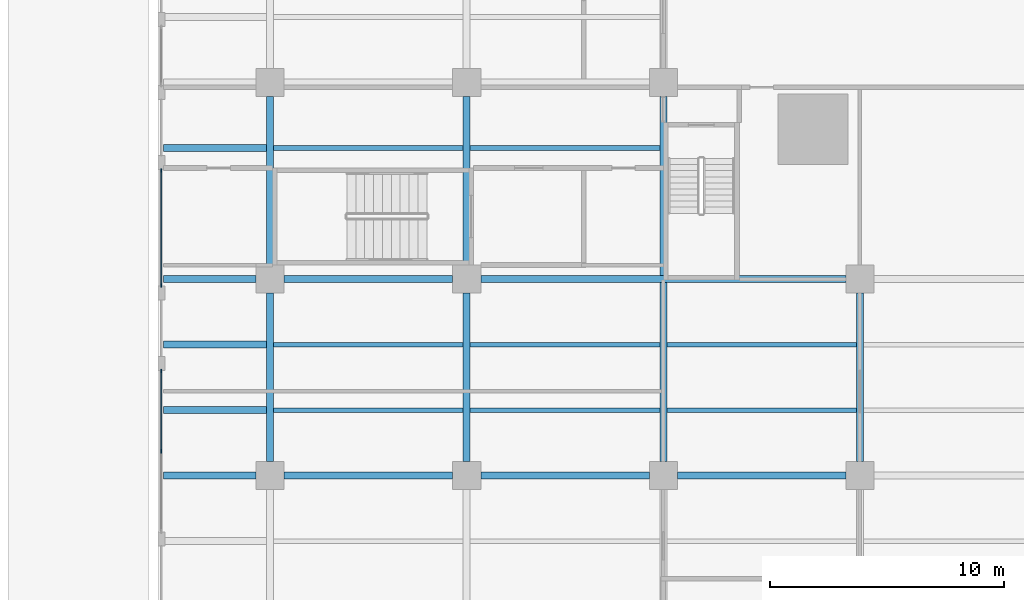
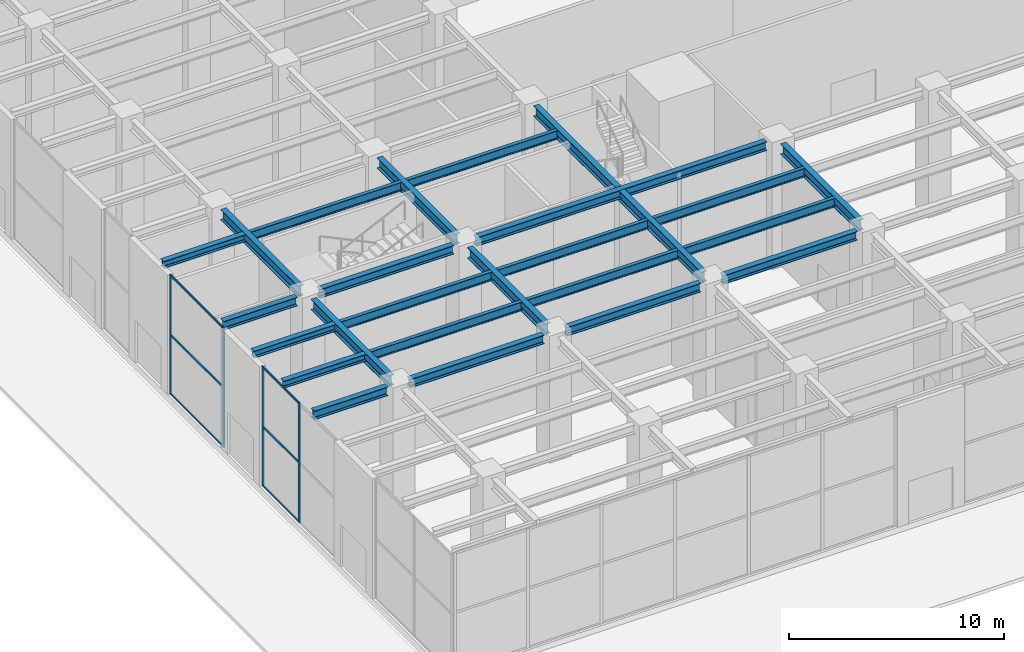
# One storey, part 5 of 43: 24 beams, 10 members, 2 elements without a shape of their own.
"""IFC4 building model written with IfcOpenShell, lengths in metres."""

from ifc_helpers import new_model, si_unit, direction, frame, origin, origin_2d, place, context, subcontext, project, spatial, rectangle, i_section, extrude, material, material_profile, profile_set, type_object, element, aggregate, save


model = new_model("IFC4")

# Units and contexts
model_context = context("Model", 3, precision=1e-05, world=origin(), true_north=direction((0.0, 1.0)))
body_context = subcontext(model_context, "Body", "Model", "MODEL_VIEW")
ifc_project = project(units=[si_unit("LENGTHUNIT", "METRE"), si_unit("AREAUNIT", "SQUARE_METRE"), si_unit("VOLUMEUNIT", "CUBIC_METRE"), si_unit("PLANEANGLEUNIT", "RADIAN"), si_unit("MASSUNIT", "GRAM", prefix="KILO")], contexts=[model_context])

# Site, building, storey
site_placement = place(None, origin())
site = spatial("IfcSite", under=ifc_project, at=site_placement, CompositionType="ELEMENT")
building_placement = place(site_placement, origin())
building = spatial("IfcBuilding", under=site, at=building_placement, Name="Khepri Terraces", CompositionType="ELEMENT")
storey_placement = place(building_placement, origin())
storey = spatial("IfcBuildingStorey", under=building, at=storey_placement, Name="L00", CompositionType="ELEMENT", Elevation=0.0)

# Curtain wall, members
ifc_material_1 = material(Name="Anodised aluminium bronze curtain wall", Category="aluminium")
curtain_wall_type = type_object("IfcCurtainWallType", Name="CW-SYS1-LOBBY", PredefinedType="NOTDEFINED", material=ifc_material_1)
curtain_wall_1_placement = place(storey_placement, origin())
curtain_wall_1 = element("IfcCurtainWall", 1, at=curtain_wall_1_placement, inside=storey, type_object=curtain_wall_type, Name="Curtain wall CW1 L00 W", PredefinedType="NOTDEFINED")
ifc_material_2 = material(Name="Anodised aluminium bronze", Category="aluminium")
ifc_material_profile_1 = material_profile(ifc_material_2, rectangle(XDim=0.06005859375, YDim=0.159912109375, at=origin_2d()), Name="Anodised aluminium bronze", Category="aluminium")
ifc_profile_set_1 = profile_set([ifc_material_profile_1], Name="Anodised aluminium bronze")
member_type_1 = type_object("IfcMemberType", Name="CW-MULLION-60x160", PredefinedType="MULLION", material=ifc_profile_set_1)
member_1_placement = place(storey_placement, frame((-46.64990234375, -20.554931640625, 0.0), z_axis=(0.0, 0.0, 1.0), x_axis=(1.0, 0.0, 0.0)))
member_1 = element("IfcMember", 2, at=member_1_placement, type_object=member_type_1, Name="CW1 mullion 1", PredefinedType="MULLION", context=body_context, shape_type="SweptSolid", body=[
    extrude(rectangle(XDim=0.06005859375, YDim=0.159912109375, at=origin_2d()), origin(), (0.0, 0.0, 1.0), 6.780029296875),
])
member_2_placement = place(storey_placement, frame((-46.64990234375, -25.469970703125, 0.0), z_axis=(0.0, 0.0, 1.0), x_axis=(1.0, 0.0, 0.0)))
member_2 = element("IfcMember", 3, at=member_2_placement, type_object=member_type_1, Name="CW1 mullion 2", PredefinedType="MULLION", context=body_context, shape_type="SweptSolid", body=[
    extrude(rectangle(XDim=0.06005859375, YDim=0.159912109375, at=origin_2d()), origin(), (0.0, 0.0, 1.0), 6.780029296875),
])

curtain_wall_2_placement = place(storey_placement, origin())
curtain_wall_2 = element("IfcCurtainWall", 4, at=curtain_wall_2_placement, inside=storey, type_object=curtain_wall_type, Name="Curtain wall CW1 L00 W", PredefinedType="NOTDEFINED")
member_3_placement = place(storey_placement, frame((-46.64990234375, -29.1298828125, 0.0), z_axis=(0.0, 0.0, 1.0), x_axis=(1.0, 0.0, 0.0)))
member_3 = element("IfcMember", 5, at=member_3_placement, type_object=member_type_1, Name="CW1 mullion 1", PredefinedType="MULLION", context=body_context, shape_type="SweptSolid", body=[
    extrude(rectangle(XDim=0.06005859375, YDim=0.159912109375, at=origin_2d()), origin(), (0.0, 0.0, 1.0), 6.780029296875),
])
member_4_placement = place(storey_placement, frame((-46.64990234375, -32.550048828125, 0.0), z_axis=(0.0, 0.0, 1.0), x_axis=(1.0, 0.0, 0.0)))
member_4 = element("IfcMember", 6, at=member_4_placement, type_object=member_type_1, Name="CW1 mullion 2", PredefinedType="MULLION", context=body_context, shape_type="SweptSolid", body=[
    extrude(rectangle(XDim=0.06005859375, YDim=0.159912109375, at=origin_2d()), origin(), (0.0, 0.0, 1.0), 6.780029296875),
])

# Member
ifc_material_profile_2 = material_profile(ifc_material_2, rectangle(XDim=0.06005859375, YDim=0.1201171875, at=origin_2d()), Name="Anodised aluminium bronze", Category="aluminium")
ifc_profile_set_2 = profile_set([ifc_material_profile_2], Name="Anodised aluminium bronze")
member_type_2 = type_object("IfcMemberType", Name="CW-TRANSOM-60x120", PredefinedType="USERDEFINED", material=ifc_profile_set_2)
member_5_placement = place(storey_placement, frame((-46.64990234375, -20.5849609375, 0.030029296875), z_axis=(0.0, -1.0, 0.0), x_axis=(1.0, 0.0, 0.0)))
member_5 = element("IfcMember", 7, at=member_5_placement, type_object=member_type_2, Name="CW1 transom 1.1", ObjectType="TRANSOM", PredefinedType="USERDEFINED", context=body_context, shape_type="SweptSolid", body=[
    extrude(rectangle(XDim=0.06005859375, YDim=0.1201171875, at=origin_2d()), origin(), (0.0, 0.0, 1.0), 4.85498046875),
])

member_6_placement = place(storey_placement, frame((-46.64990234375, -20.5849609375, 3.389892578125), z_axis=(0.0, -1.0, 0.0), x_axis=(1.0, 0.0, 0.0)))
member_6 = element("IfcMember", 8, at=member_6_placement, type_object=member_type_2, Name="CW1 transom 1.2", ObjectType="TRANSOM", PredefinedType="USERDEFINED", context=body_context, shape_type="SweptSolid", body=[
    extrude(rectangle(XDim=0.06005859375, YDim=0.1201171875, at=origin_2d()), origin(), (0.0, 0.0, 1.0), 4.85498046875),
])

member_7_placement = place(storey_placement, frame((-46.64990234375, -20.5849609375, 6.75), z_axis=(0.0, -1.0, 0.0), x_axis=(1.0, 0.0, 0.0)))
member_7 = element("IfcMember", 9, at=member_7_placement, type_object=member_type_2, Name="CW1 transom 1.3", ObjectType="TRANSOM", PredefinedType="USERDEFINED", context=body_context, shape_type="SweptSolid", body=[
    extrude(rectangle(XDim=0.06005859375, YDim=0.1201171875, at=origin_2d()), origin(), (0.0, 0.0, 1.0), 4.85498046875),
])

aggregate(curtain_wall_1, [member_1, member_2, member_5, member_6, member_7])

member_8_placement = place(storey_placement, frame((-46.64990234375, -29.159912109375, 0.030029296875), z_axis=(0.0, -1.0, 0.0), x_axis=(1.0, 0.0, 0.0)))
member_8 = element("IfcMember", 10, at=member_8_placement, type_object=member_type_2, Name="CW1 transom 1.1", ObjectType="TRANSOM", PredefinedType="USERDEFINED", context=body_context, shape_type="SweptSolid", body=[
    extrude(rectangle(XDim=0.06005859375, YDim=0.1201171875, at=origin_2d()), origin(), (0.0, 0.0, 1.0), 3.360107421875),
])

member_9_placement = place(storey_placement, frame((-46.64990234375, -29.159912109375, 3.389892578125), z_axis=(0.0, -1.0, 0.0), x_axis=(1.0, 0.0, 0.0)))
member_9 = element("IfcMember", 11, at=member_9_placement, type_object=member_type_2, Name="CW1 transom 1.2", ObjectType="TRANSOM", PredefinedType="USERDEFINED", context=body_context, shape_type="SweptSolid", body=[
    extrude(rectangle(XDim=0.06005859375, YDim=0.1201171875, at=origin_2d()), origin(), (0.0, 0.0, 1.0), 3.360107421875),
])

member_10_placement = place(storey_placement, frame((-46.64990234375, -29.159912109375, 6.75), z_axis=(0.0, -1.0, 0.0), x_axis=(1.0, 0.0, 0.0)))
member_10 = element("IfcMember", 12, at=member_10_placement, type_object=member_type_2, Name="CW1 transom 1.3", ObjectType="TRANSOM", PredefinedType="USERDEFINED", context=body_context, shape_type="SweptSolid", body=[
    extrude(rectangle(XDim=0.06005859375, YDim=0.1201171875, at=origin_2d()), origin(), (0.0, 0.0, 1.0), 3.360107421875),
])

aggregate(curtain_wall_2, [member_3, member_4, member_8, member_9, member_10])

# Beams
ifc_material_3 = material(Name="Steel S355", Category="steel")
ifc_material_profile_3 = material_profile(ifc_material_3, i_section(OverallWidth=0.300048828125, OverallDepth=0.39990234375, WebThickness=0.013427734375, FlangeThickness=0.02392578125, FilletRadius=0.027099609375, at=origin_2d()), Name="Steel S355", Category="steel")
ifc_profile_set_3 = profile_set([ifc_material_profile_3], Name="Steel S355")
beam_type_1 = type_object("IfcBeamType", Name="Podium cantilever joist L01 HEB 400", PredefinedType="JOIST", material=ifc_profile_set_3)
for number, where, z_axis, x_axis, name in (
    (13, (-46.550048828125, -30.800048828125, 6.800048828125), (1.0, 0.0, 0.0), (0.0, 1.0, 0.0), "Podium cantilever joist L01 061"),
    (14, (-46.550048828125, -28.0, 6.800048828125), (1.0, 0.0, 0.0), (0.0, 1.0, 0.0), "Podium cantilever joist L01 073"),
    (15, (-46.550048828125, -19.60009765625, 6.800048828125), (1.0, 0.0, 0.0), (0.0, 1.0, 0.0), "Podium cantilever joist L01 095"),
):
    element("IfcBeam", number, at=place(storey_placement, frame(where, z_axis=z_axis, x_axis=x_axis)), inside=storey, type_object=beam_type_1, Name=name, PredefinedType="JOIST", context=body_context, shape_type="SweptSolid", body=[
        extrude(i_section(OverallWidth=0.300048828125, OverallDepth=0.39990234375, WebThickness=0.013427734375, FlangeThickness=0.02392578125, FilletRadius=0.027099609375, at=origin_2d()), origin(), (0.0, 0.0, 1.0), 4.400146484375),
    ])
ifc_material_profile_4 = material_profile(ifc_material_3, i_section(OverallWidth=0.300048828125, OverallDepth=0.60009765625, WebThickness=0.015380859375, FlangeThickness=0.030029296875, FilletRadius=0.027099609375, at=origin_2d()), Name="Steel S355", Category="steel")
ifc_profile_set_4 = profile_set([ifc_material_profile_4], Name="Steel S355")
beam_type_2 = type_object("IfcBeamType", Name="Podium girder L01 HEB 600", PredefinedType="BEAM", material=ifc_profile_set_4)
beam_1_placement = place(storey_placement, frame((-42.0, -33.0, 6.699951171875), z_axis=(0.0, 1.0, 0.0), x_axis=(-1.0, 0.0, 0.0)))
element("IfcBeam", 16, at=beam_1_placement, inside=storey, type_object=beam_type_2, Name="Podium girder L01 003", PredefinedType="BEAM", context=body_context, shape_type="SweptSolid", body=[
    extrude(i_section(OverallWidth=0.300048828125, OverallDepth=0.60009765625, WebThickness=0.015380859375, FlangeThickness=0.030029296875, FilletRadius=0.027099609375, at=origin_2d()), origin(), (0.0, 0.0, 1.0), 7.199951171875),
])
beam_2_placement = place(storey_placement, frame((-42.0, -24.60009765625, 6.699951171875), z_axis=(0.0, 1.0, 0.0), x_axis=(-1.0, 0.0, 0.0)))
element("IfcBeam", 17, at=beam_2_placement, inside=storey, type_object=beam_type_2, Name="Podium girder L01 004", PredefinedType="BEAM", context=body_context, shape_type="SweptSolid", body=[
    extrude(i_section(OverallWidth=0.300048828125, OverallDepth=0.60009765625, WebThickness=0.015380859375, FlangeThickness=0.030029296875, FilletRadius=0.027099609375, at=origin_2d()), origin(), (0.0, 0.0, 1.0), 7.2001953125),
])
beam_3_placement = place(storey_placement, frame((-33.60009765625, -33.0, 6.699951171875), z_axis=(0.0, 1.0, 0.0), x_axis=(-1.0, 0.0, 0.0)))
element("IfcBeam", 18, at=beam_3_placement, inside=storey, type_object=beam_type_2, Name="Podium girder L01 015", PredefinedType="BEAM", context=body_context, shape_type="SweptSolid", body=[
    extrude(i_section(OverallWidth=0.300048828125, OverallDepth=0.60009765625, WebThickness=0.015380859375, FlangeThickness=0.030029296875, FilletRadius=0.027099609375, at=origin_2d()), origin(), (0.0, 0.0, 1.0), 7.199951171875),
])
beam_4_placement = place(storey_placement, frame((-33.60009765625, -24.60009765625, 6.699951171875), z_axis=(0.0, 1.0, 0.0), x_axis=(-1.0, 0.0, 0.0)))
element("IfcBeam", 19, at=beam_4_placement, inside=storey, type_object=beam_type_2, Name="Podium girder L01 016", PredefinedType="BEAM", context=body_context, shape_type="SweptSolid", body=[
    extrude(i_section(OverallWidth=0.300048828125, OverallDepth=0.60009765625, WebThickness=0.015380859375, FlangeThickness=0.030029296875, FilletRadius=0.027099609375, at=origin_2d()), origin(), (0.0, 0.0, 1.0), 7.2001953125),
])
beam_5_placement = place(storey_placement, frame((-25.199951171875, -33.0, 6.699951171875), z_axis=(0.0, 1.0, 0.0), x_axis=(-1.0, 0.0, 0.0)))
element("IfcBeam", 20, at=beam_5_placement, inside=storey, type_object=beam_type_2, Name="Podium girder L01 027", PredefinedType="BEAM", context=body_context, shape_type="SweptSolid", body=[
    extrude(i_section(OverallWidth=0.300048828125, OverallDepth=0.60009765625, WebThickness=0.015380859375, FlangeThickness=0.030029296875, FilletRadius=0.027099609375, at=origin_2d()), origin(), (0.0, 0.0, 1.0), 15.60009765625),
])
beam_6_placement = place(storey_placement, frame((-16.800048828125, -33.0, 6.699951171875), z_axis=(0.0, 1.0, 0.0), x_axis=(-1.0, 0.0, 0.0)))
element("IfcBeam", 21, at=beam_6_placement, inside=storey, type_object=beam_type_2, Name="Podium girder L01 037", PredefinedType="BEAM", context=body_context, shape_type="SweptSolid", body=[
    extrude(i_section(OverallWidth=0.300048828125, OverallDepth=0.60009765625, WebThickness=0.015380859375, FlangeThickness=0.030029296875, FilletRadius=0.027099609375, at=origin_2d()), origin(), (0.0, 0.0, 1.0), 7.199951171875),
])
ifc_material_profile_5 = material_profile(ifc_material_3, i_section(OverallWidth=0.300048828125, OverallDepth=0.5, WebThickness=0.014404296875, FlangeThickness=0.028076171875, FilletRadius=0.027099609375, at=origin_2d()), Name="Steel S355", Category="steel")
ifc_profile_set_5 = profile_set([ifc_material_profile_5], Name="Steel S355")
beam_type_3 = type_object("IfcBeamType", Name="Podium girder L01 grid line HEB 500", PredefinedType="BEAM", material=ifc_profile_set_5)
beam_7_placement = place(storey_placement, frame((-46.550048828125, -33.60009765625, 6.75), z_axis=(1.0, 0.0, 0.0), x_axis=(0.0, 1.0, 0.0)))
element("IfcBeam", 22, at=beam_7_placement, inside=storey, type_object=beam_type_3, Name="Podium grid-line girder L01 049", PredefinedType="BEAM", context=body_context, shape_type="SweptSolid", body=[
    extrude(i_section(OverallWidth=0.300048828125, OverallDepth=0.5, WebThickness=0.014404296875, FlangeThickness=0.028076171875, FilletRadius=0.027099609375, at=origin_2d()), origin(), (0.0, 0.0, 1.0), 3.949951171875),
])
for number, where, z_axis, x_axis, name in (
    (23, (-41.39990234375, -33.60009765625, 6.75), (1.0, 0.0, 0.0), (0.0, 1.0, 0.0), "Podium grid-line girder L01 050"),
    (24, (-33.0, -33.60009765625, 6.75), (1.0, 0.0, 0.0), (0.0, 1.0, 0.0), "Podium grid-line girder L01 051"),
):
    element("IfcBeam", number, at=place(storey_placement, frame(where, z_axis=z_axis, x_axis=x_axis)), inside=storey, type_object=beam_type_3, Name=name, PredefinedType="BEAM", context=body_context, shape_type="SweptSolid", body=[
        extrude(i_section(OverallWidth=0.300048828125, OverallDepth=0.5, WebThickness=0.014404296875, FlangeThickness=0.028076171875, FilletRadius=0.027099609375, at=origin_2d()), origin(), (0.0, 0.0, 1.0), 7.199951171875),
    ])
beam_8_placement = place(storey_placement, frame((-24.60009765625, -33.60009765625, 6.75), z_axis=(1.0, 0.0, 0.0), x_axis=(0.0, 1.0, 0.0)))
element("IfcBeam", 25, at=beam_8_placement, inside=storey, type_object=beam_type_3, Name="Podium grid-line girder L01 052", PredefinedType="BEAM", context=body_context, shape_type="SweptSolid", body=[
    extrude(i_section(OverallWidth=0.300048828125, OverallDepth=0.5, WebThickness=0.014404296875, FlangeThickness=0.028076171875, FilletRadius=0.027099609375, at=origin_2d()), origin(), (0.0, 0.0, 1.0), 7.2001953125),
])
beam_9_placement = place(storey_placement, frame((-46.550048828125, -25.199951171875, 6.75), z_axis=(1.0, 0.0, 0.0), x_axis=(0.0, 1.0, 0.0)))
element("IfcBeam", 26, at=beam_9_placement, inside=storey, type_object=beam_type_3, Name="Podium grid-line girder L01 085", PredefinedType="BEAM", context=body_context, shape_type="SweptSolid", body=[
    extrude(i_section(OverallWidth=0.300048828125, OverallDepth=0.5, WebThickness=0.014404296875, FlangeThickness=0.028076171875, FilletRadius=0.027099609375, at=origin_2d()), origin(), (0.0, 0.0, 1.0), 3.949951171875),
])
beam_10_placement = place(storey_placement, frame((-41.39990234375, -25.199951171875, 6.75), z_axis=(1.0, 0.0, 0.0), x_axis=(0.0, 1.0, 0.0)))
element("IfcBeam", 27, at=beam_10_placement, inside=storey, type_object=beam_type_3, Name="Podium grid-line girder L01 086", PredefinedType="BEAM", context=body_context, shape_type="SweptSolid", body=[
    extrude(i_section(OverallWidth=0.300048828125, OverallDepth=0.5, WebThickness=0.014404296875, FlangeThickness=0.028076171875, FilletRadius=0.027099609375, at=origin_2d()), origin(), (0.0, 0.0, 1.0), 7.199951171875),
])
beam_11_placement = place(storey_placement, frame((-33.0, -25.199951171875, 6.75), z_axis=(1.0, 0.0, 0.0), x_axis=(0.0, 1.0, 0.0)))
element("IfcBeam", 28, at=beam_11_placement, inside=storey, type_object=beam_type_3, Name="Podium grid-line girder L01 087", PredefinedType="BEAM", context=body_context, shape_type="SweptSolid", body=[
    extrude(i_section(OverallWidth=0.300048828125, OverallDepth=0.5, WebThickness=0.014404296875, FlangeThickness=0.028076171875, FilletRadius=0.027099609375, at=origin_2d()), origin(), (0.0, 0.0, 1.0), 15.60009765625),
])
ifc_material_profile_6 = material_profile(ifc_material_3, i_section(OverallWidth=0.199951171875, OverallDepth=0.5, WebThickness=0.01025390625, FlangeThickness=0.01611328125, FilletRadius=0.02099609375, at=origin_2d()), Name="Steel S355", Category="steel")
ifc_profile_set_6 = profile_set([ifc_material_profile_6], Name="Steel S355")
beam_type_4 = type_object("IfcBeamType", Name="Podium joist L01 IPE 500", PredefinedType="JOIST", material=ifc_profile_set_6)
beam_12_placement = place(storey_placement, frame((-41.85009765625, -30.800048828125, 6.75), z_axis=(1.0, 0.0, 0.0), x_axis=(0.0, 1.0, 0.0)))
element("IfcBeam", 29, at=beam_12_placement, inside=storey, type_object=beam_type_4, Name="Podium joist L01 062", PredefinedType="JOIST", context=body_context, shape_type="SweptSolid", body=[
    extrude(i_section(OverallWidth=0.199951171875, OverallDepth=0.5, WebThickness=0.01025390625, FlangeThickness=0.01611328125, FilletRadius=0.02099609375, at=origin_2d()), origin(), (0.0, 0.0, 1.0), 8.10009765625),
])
beam_13_placement = place(storey_placement, frame((-33.449951171875, -30.800048828125, 6.75), z_axis=(1.0, 0.0, 0.0), x_axis=(0.0, 1.0, 0.0)))
element("IfcBeam", 30, at=beam_13_placement, inside=storey, type_object=beam_type_4, Name="Podium joist L01 063", PredefinedType="JOIST", context=body_context, shape_type="SweptSolid", body=[
    extrude(i_section(OverallWidth=0.199951171875, OverallDepth=0.5, WebThickness=0.01025390625, FlangeThickness=0.01611328125, FilletRadius=0.02099609375, at=origin_2d()), origin(), (0.0, 0.0, 1.0), 8.099853515625),
])
for number, where, z_axis, x_axis, name in (
    (31, (-25.050048828125, -30.800048828125, 6.75), (1.0, 0.0, 0.0), (0.0, 1.0, 0.0), "Podium joist L01 064"),
    (32, (-41.85009765625, -28.0, 6.75), (1.0, 0.0, 0.0), (0.0, 1.0, 0.0), "Podium joist L01 074"),
):
    element("IfcBeam", number, at=place(storey_placement, frame(where, z_axis=z_axis, x_axis=x_axis)), inside=storey, type_object=beam_type_4, Name=name, PredefinedType="JOIST", context=body_context, shape_type="SweptSolid", body=[
        extrude(i_section(OverallWidth=0.199951171875, OverallDepth=0.5, WebThickness=0.01025390625, FlangeThickness=0.01611328125, FilletRadius=0.02099609375, at=origin_2d()), origin(), (0.0, 0.0, 1.0), 8.10009765625),
    ])
beam_14_placement = place(storey_placement, frame((-33.449951171875, -28.0, 6.75), z_axis=(1.0, 0.0, 0.0), x_axis=(0.0, 1.0, 0.0)))
element("IfcBeam", 33, at=beam_14_placement, inside=storey, type_object=beam_type_4, Name="Podium joist L01 075", PredefinedType="JOIST", context=body_context, shape_type="SweptSolid", body=[
    extrude(i_section(OverallWidth=0.199951171875, OverallDepth=0.5, WebThickness=0.01025390625, FlangeThickness=0.01611328125, FilletRadius=0.02099609375, at=origin_2d()), origin(), (0.0, 0.0, 1.0), 8.099853515625),
])
for number, where, z_axis, x_axis, name in (
    (34, (-25.050048828125, -28.0, 6.75), (1.0, 0.0, 0.0), (0.0, 1.0, 0.0), "Podium joist L01 076"),
    (35, (-41.85009765625, -19.60009765625, 6.75), (1.0, 0.0, 0.0), (0.0, 1.0, 0.0), "Podium joist L01 096"),
):
    element("IfcBeam", number, at=place(storey_placement, frame(where, z_axis=z_axis, x_axis=x_axis)), inside=storey, type_object=beam_type_4, Name=name, PredefinedType="JOIST", context=body_context, shape_type="SweptSolid", body=[
        extrude(i_section(OverallWidth=0.199951171875, OverallDepth=0.5, WebThickness=0.01025390625, FlangeThickness=0.01611328125, FilletRadius=0.02099609375, at=origin_2d()), origin(), (0.0, 0.0, 1.0), 8.10009765625),
    ])
beam_15_placement = place(storey_placement, frame((-33.449951171875, -19.60009765625, 6.75), z_axis=(1.0, 0.0, 0.0), x_axis=(0.0, 1.0, 0.0)))
element("IfcBeam", 36, at=beam_15_placement, inside=storey, type_object=beam_type_4, Name="Podium joist L01 097", PredefinedType="JOIST", context=body_context, shape_type="SweptSolid", body=[
    extrude(i_section(OverallWidth=0.199951171875, OverallDepth=0.5, WebThickness=0.01025390625, FlangeThickness=0.01611328125, FilletRadius=0.02099609375, at=origin_2d()), origin(), (0.0, 0.0, 1.0), 8.099853515625),
])

save(model, "model.ifc")
